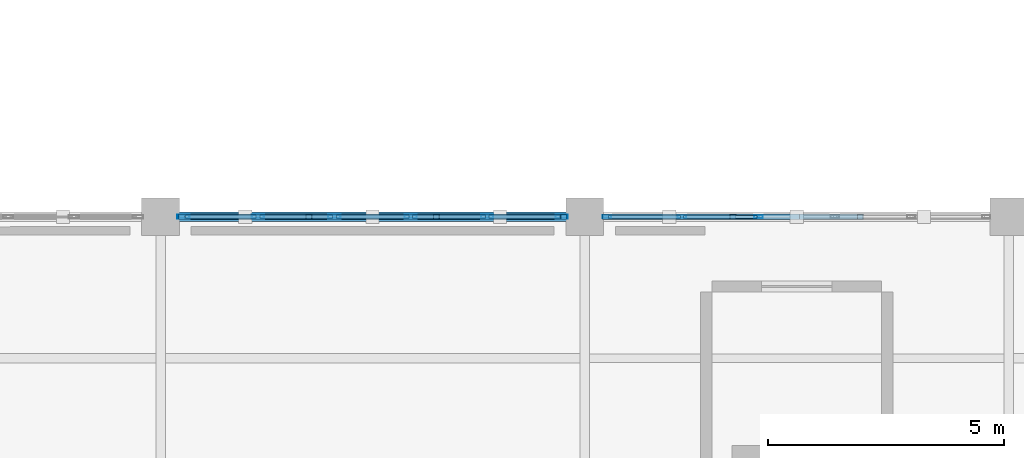
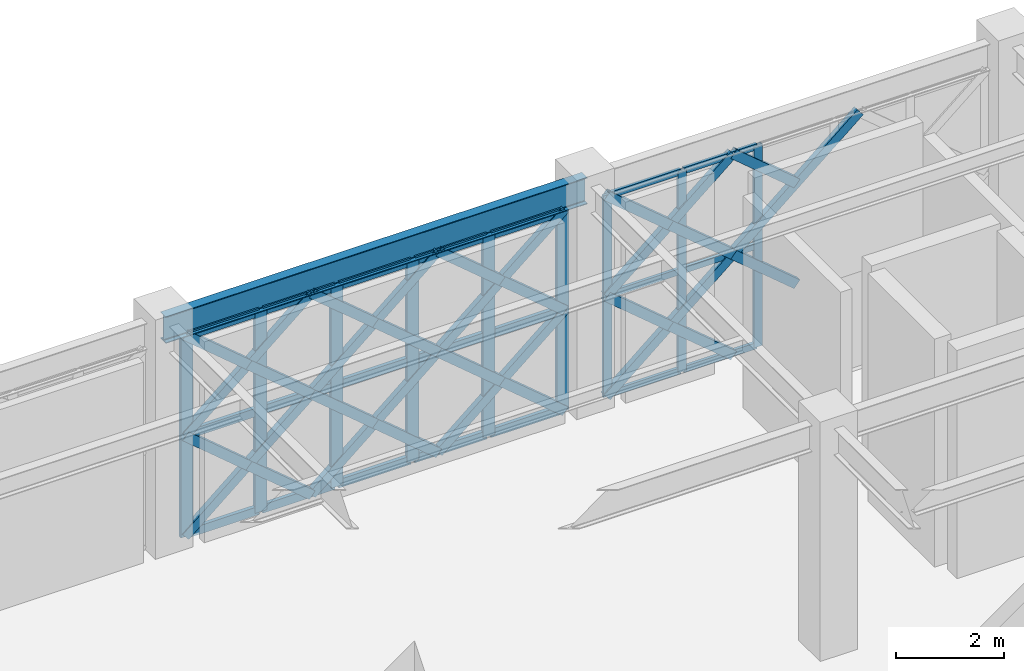
# One storey, part 17 of 86: 57 members, 1 beam, 2 elements without a shape of their own.
"""IFC4 building model written with IfcOpenShell, lengths in metres."""

from ifc_helpers import new_model, si_unit, direction, frame, origin, origin_2d, place, context, subcontext, project, spatial, hollow_rectangle, i_section, extrude, material, material_profile, profile_set, type_object, element, aggregate, save


model = new_model("IFC4")

# Units and contexts
model_context = context("Model", 3, precision=1e-05, world=origin(), true_north=direction((0.0, 1.0)))
body_context = subcontext(model_context, "Body", "Model", "MODEL_VIEW")
ifc_project = project(units=[si_unit("LENGTHUNIT", "METRE"), si_unit("AREAUNIT", "SQUARE_METRE"), si_unit("VOLUMEUNIT", "CUBIC_METRE"), si_unit("PLANEANGLEUNIT", "RADIAN"), si_unit("MASSUNIT", "GRAM", prefix="KILO")], contexts=[model_context])

# Site, building, storey
site_placement = place(None, origin())
site = spatial("IfcSite", under=ifc_project, at=site_placement, CompositionType="ELEMENT")
building_placement = place(site_placement, origin())
building = spatial("IfcBuilding", under=site, at=building_placement, Name="Haizhuo Lancet Aquarium", CompositionType="ELEMENT")
storey_placement = place(building_placement, frame((0.0, 0.0, 16.199951171875)))
storey = spatial("IfcBuildingStorey", under=building, at=storey_placement, Name="L03", CompositionType="ELEMENT", Elevation=16.199951171875)

# Beam
ifc_material_1 = material(Name="Steel S355", Category="steel")
ifc_material_profile_1 = material_profile(ifc_material_1, i_section(OverallWidth=0.199951171875, OverallDepth=0.60009765625, WebThickness=0.010986328125, FlangeThickness=0.01708984375, FilletRadius=0.02197265625, at=origin_2d()), Name="HN 600x200x11x17")
ifc_profile_set_1 = profile_set([ifc_material_profile_1], Name="Steel S355")
beam_type = type_object("IfcBeamType", Name="BM-ST-HN600", PredefinedType="BEAM", material=ifc_profile_set_1)
beam_placement = place(storey_placement, frame((-72.0, -9.0, 4.85009765625), z_axis=(1.0, 0.0, 0.0), x_axis=(0.0, 1.0, 0.0)))
element("IfcBeam", 1, at=beam_placement, inside=storey, type_object=beam_type, Name="L03 V6 primary girder BM-L03-V6-008", PredefinedType="BEAM", context=body_context, shape_type="SweptSolid", body=[
    extrude(i_section(OverallWidth=0.199951171875, OverallDepth=0.60009765625, WebThickness=0.010986328125, FlangeThickness=0.01708984375, FilletRadius=0.02197265625, at=origin_2d()), origin(), (0.0, 0.0, 1.0), 9.0),
])

# Curtain wall, members
ifc_material_2 = material(Name="Aluminium 6063-T6", Category="aluminium")
curtain_wall_type = type_object("IfcCurtainWallType", Name="CWO-8110x4550", PredefinedType="NOTDEFINED", material=ifc_material_2)
curtain_wall_1_placement = place(storey_placement, origin())
curtain_wall_1 = element("IfcCurtainWall", 2, at=curtain_wall_1_placement, inside=storey, type_object=curtain_wall_type, Name="L03 curtain wall CW-V6-L03-232", PredefinedType="NOTDEFINED")
ifc_material_profile_2 = material_profile(ifc_material_2, hollow_rectangle(XDim=0.06494140625, YDim=0.179931640625, WallThickness=0.00390625, at=origin_2d()), Name="ALU-M 65x180x4")
ifc_profile_set_2 = profile_set([ifc_material_profile_2], Name="Aluminium 6063-T6")
member_type_1 = type_object("IfcMemberType", Name="CW-MUL-1", PredefinedType="MULLION", material=ifc_profile_set_2)
member_1_placement = place(storey_placement, frame((-62.52294921875, -9.0, 0.0), z_axis=(0.0, 0.0, 1.0), x_axis=(0.0, 1.0, 0.0)))
member_1 = element("IfcMember", 3, at=member_1_placement, type_object=member_type_1, Name="CWO-81x45 mullion 1", PredefinedType="MULLION", context=body_context, shape_type="SweptSolid", body=[
    extrude(hollow_rectangle(XDim=0.06494140625, YDim=0.179931640625, WallThickness=0.00390625, at=origin_2d()), origin(), (0.0, 0.0, 1.0), 4.550048828125),
])
member_2_placement = place(storey_placement, frame((-60.93310546875, -9.0, 0.0), z_axis=(0.0, 0.0, 1.0), x_axis=(0.0, 1.0, 0.0)))
member_2 = element("IfcMember", 4, at=member_2_placement, type_object=member_type_1, Name="CWO-81x45 mullion 2", PredefinedType="MULLION", context=body_context, shape_type="SweptSolid", body=[
    extrude(hollow_rectangle(XDim=0.06494140625, YDim=0.179931640625, WallThickness=0.00390625, at=origin_2d()), origin(), (0.0, 0.0, 1.0), 4.550048828125),
])
member_3_placement = place(storey_placement, frame((-59.31103515625, -9.0, 0.0), z_axis=(0.0, 0.0, 1.0), x_axis=(0.0, 1.0, 0.0)))
member_3 = element("IfcMember", 5, at=member_3_placement, type_object=member_type_1, Name="CWO-81x45 mullion 3", PredefinedType="MULLION", context=body_context, shape_type="SweptSolid", body=[
    extrude(hollow_rectangle(XDim=0.06494140625, YDim=0.179931640625, WallThickness=0.00390625, at=origin_2d()), origin(), (0.0, 0.0, 1.0), 4.550048828125),
])

curtain_wall_2_placement = place(storey_placement, origin())
curtain_wall_2 = element("IfcCurtainWall", 6, at=curtain_wall_2_placement, inside=storey, type_object=curtain_wall_type, Name="L03 curtain wall CW-V6-L03-231", PredefinedType="NOTDEFINED")
ifc_material_profile_3 = material_profile(ifc_material_2, hollow_rectangle(XDim=0.080078125, YDim=0.260009765625, WallThickness=0.0048828125, at=origin_2d()), Name="ALU-M 80x260x5")
ifc_profile_set_3 = profile_set([ifc_material_profile_3], Name="Aluminium 6063-T6")
member_type_2 = type_object("IfcMemberType", Name="CW-MUL-3", PredefinedType="MULLION", material=ifc_profile_set_3)
member_4_placement = place(storey_placement, frame((-71.514892578125, -9.0, 0.0), z_axis=(0.0, 0.0, 1.0), x_axis=(0.0, 1.0, 0.0)))
member_4 = element("IfcMember", 7, at=member_4_placement, type_object=member_type_2, Name="CWO-81x45 mullion 1", PredefinedType="MULLION", context=body_context, shape_type="SweptSolid", body=[
    extrude(hollow_rectangle(XDim=0.080078125, YDim=0.260009765625, WallThickness=0.0048828125, at=origin_2d()), origin(), (0.0, 0.0, 1.0), 4.550048828125),
])
member_5_placement = place(storey_placement, frame((-69.93310546875, -9.0, 0.0), z_axis=(0.0, 0.0, 1.0), x_axis=(0.0, 1.0, 0.0)))
member_5 = element("IfcMember", 8, at=member_5_placement, type_object=member_type_2, Name="CWO-81x45 mullion 2", PredefinedType="MULLION", context=body_context, shape_type="SweptSolid", body=[
    extrude(hollow_rectangle(XDim=0.080078125, YDim=0.260009765625, WallThickness=0.0048828125, at=origin_2d()), origin(), (0.0, 0.0, 1.0), 4.550048828125),
])
member_6_placement = place(storey_placement, frame((-68.31103515625, -9.0, 0.0), z_axis=(0.0, 0.0, 1.0), x_axis=(0.0, 1.0, 0.0)))
member_6 = element("IfcMember", 9, at=member_6_placement, type_object=member_type_2, Name="CWO-81x45 mullion 3", PredefinedType="MULLION", context=body_context, shape_type="SweptSolid", body=[
    extrude(hollow_rectangle(XDim=0.080078125, YDim=0.260009765625, WallThickness=0.0048828125, at=origin_2d()), origin(), (0.0, 0.0, 1.0), 4.550048828125),
])
member_7_placement = place(storey_placement, frame((-66.68896484375, -9.0, 0.0), z_axis=(0.0, 0.0, 1.0), x_axis=(0.0, 1.0, 0.0)))
member_7 = element("IfcMember", 10, at=member_7_placement, type_object=member_type_2, Name="CWO-81x45 mullion 4", PredefinedType="MULLION", context=body_context, shape_type="SweptSolid", body=[
    extrude(hollow_rectangle(XDim=0.080078125, YDim=0.260009765625, WallThickness=0.0048828125, at=origin_2d()), origin(), (0.0, 0.0, 1.0), 4.550048828125),
])
member_8_placement = place(storey_placement, frame((-65.06689453125, -9.0, 0.0), z_axis=(0.0, 0.0, 1.0), x_axis=(0.0, 1.0, 0.0)))
member_8 = element("IfcMember", 11, at=member_8_placement, type_object=member_type_2, Name="CWO-81x45 mullion 5", PredefinedType="MULLION", context=body_context, shape_type="SweptSolid", body=[
    extrude(hollow_rectangle(XDim=0.080078125, YDim=0.260009765625, WallThickness=0.0048828125, at=origin_2d()), origin(), (0.0, 0.0, 1.0), 4.550048828125),
])
member_9_placement = place(storey_placement, frame((-63.485107421875, -9.0, 0.0), z_axis=(0.0, 0.0, 1.0), x_axis=(0.0, 1.0, 0.0)))
member_9 = element("IfcMember", 12, at=member_9_placement, type_object=member_type_2, Name="CWO-81x45 mullion 6", PredefinedType="MULLION", context=body_context, shape_type="SweptSolid", body=[
    extrude(hollow_rectangle(XDim=0.080078125, YDim=0.260009765625, WallThickness=0.0048828125, at=origin_2d()), origin(), (0.0, 0.0, 1.0), 4.550048828125),
])

# Member
ifc_material_profile_4 = material_profile(ifc_material_2, hollow_rectangle(XDim=0.06494140625, YDim=0.139892578125, WallThickness=0.00390625, at=origin_2d()), Name="ALU-T 65x140x4")
ifc_profile_set_4 = profile_set([ifc_material_profile_4], Name="Aluminium 6063-T6")
member_type_3 = type_object("IfcMemberType", Name="CW-TRN-1", PredefinedType="NOTDEFINED", material=ifc_profile_set_4)
member_10_placement = place(storey_placement, frame((-62.489990234375, -9.0, 0.031982421875), z_axis=(1.0, 0.0, 0.0), x_axis=(0.0, 1.0, 0.0)))
member_10 = element("IfcMember", 13, at=member_10_placement, type_object=member_type_3, Name="CWO-81x45 transom 1.1", ObjectType="TRANSOM", PredefinedType="USERDEFINED", context=body_context, shape_type="SweptSolid", body=[
    extrude(hollow_rectangle(XDim=0.06494140625, YDim=0.139892578125, WallThickness=0.00390625, at=origin_2d()), origin(), (0.0, 0.0, 1.0), 1.52490234375),
])

member_11_placement = place(storey_placement, frame((-62.489990234375, -9.0, 2.275146484375), z_axis=(1.0, 0.0, 0.0), x_axis=(0.0, 1.0, 0.0)))
member_11 = element("IfcMember", 14, at=member_11_placement, type_object=member_type_3, Name="CWO-81x45 transom 1.2", ObjectType="TRANSOM", PredefinedType="USERDEFINED", context=body_context, shape_type="SweptSolid", body=[
    extrude(hollow_rectangle(XDim=0.06494140625, YDim=0.139892578125, WallThickness=0.00390625, at=origin_2d()), origin(), (0.0, 0.0, 1.0), 1.52490234375),
])

member_12_placement = place(storey_placement, frame((-62.489990234375, -9.0, 4.51806640625), z_axis=(1.0, 0.0, 0.0), x_axis=(0.0, 1.0, 0.0)))
member_12 = element("IfcMember", 15, at=member_12_placement, type_object=member_type_3, Name="CWO-81x45 transom 1.3", ObjectType="TRANSOM", PredefinedType="USERDEFINED", context=body_context, shape_type="SweptSolid", body=[
    extrude(hollow_rectangle(XDim=0.06494140625, YDim=0.139892578125, WallThickness=0.00390625, at=origin_2d()), origin(), (0.0, 0.0, 1.0), 1.52490234375),
])

member_13_placement = place(storey_placement, frame((-60.90087890625, -9.0, 0.031982421875), z_axis=(1.0, 0.0, 0.0), x_axis=(0.0, 1.0, 0.0)))
member_13 = element("IfcMember", 16, at=member_13_placement, type_object=member_type_3, Name="CWO-81x45 transom 2.1", ObjectType="TRANSOM", PredefinedType="USERDEFINED", context=body_context, shape_type="SweptSolid", body=[
    extrude(hollow_rectangle(XDim=0.06494140625, YDim=0.139892578125, WallThickness=0.00390625, at=origin_2d()), origin(), (0.0, 0.0, 1.0), 1.557861328125),
])

member_14_placement = place(storey_placement, frame((-60.90087890625, -9.0, 2.275146484375), z_axis=(1.0, 0.0, 0.0), x_axis=(0.0, 1.0, 0.0)))
member_14 = element("IfcMember", 17, at=member_14_placement, type_object=member_type_3, Name="CWO-81x45 transom 2.2", ObjectType="TRANSOM", PredefinedType="USERDEFINED", context=body_context, shape_type="SweptSolid", body=[
    extrude(hollow_rectangle(XDim=0.06494140625, YDim=0.139892578125, WallThickness=0.00390625, at=origin_2d()), origin(), (0.0, 0.0, 1.0), 1.557861328125),
])

member_15_placement = place(storey_placement, frame((-60.90087890625, -9.0, 4.51806640625), z_axis=(1.0, 0.0, 0.0), x_axis=(0.0, 1.0, 0.0)))
member_15 = element("IfcMember", 18, at=member_15_placement, type_object=member_type_3, Name="CWO-81x45 transom 2.3", ObjectType="TRANSOM", PredefinedType="USERDEFINED", context=body_context, shape_type="SweptSolid", body=[
    extrude(hollow_rectangle(XDim=0.06494140625, YDim=0.139892578125, WallThickness=0.00390625, at=origin_2d()), origin(), (0.0, 0.0, 1.0), 1.557861328125),
])

aggregate(curtain_wall_1, [member_1, member_2, member_3, member_10, member_11, member_12, member_13, member_14, member_15])

ifc_material_profile_5 = material_profile(ifc_material_2, hollow_rectangle(XDim=0.080078125, YDim=0.18994140625, WallThickness=0.0048828125, at=origin_2d()), Name="ALU-T 80x190x5")
ifc_profile_set_5 = profile_set([ifc_material_profile_5], Name="Aluminium 6063-T6")
member_type_4 = type_object("IfcMemberType", Name="CW-TRN-3", PredefinedType="NOTDEFINED", material=ifc_profile_set_5)
member_16_placement = place(storey_placement, frame((-71.47509765625, -9.0, 0.0400390625), z_axis=(1.0, 0.0, 0.0), x_axis=(0.0, 1.0, 0.0)))
member_16 = element("IfcMember", 19, at=member_16_placement, type_object=member_type_4, Name="CWO-81x45 transom 1.1", ObjectType="TRANSOM", PredefinedType="USERDEFINED", context=body_context, shape_type="SweptSolid", body=[
    extrude(hollow_rectangle(XDim=0.080078125, YDim=0.18994140625, WallThickness=0.0048828125, at=origin_2d()), origin(), (0.0, 0.0, 1.0), 1.502197265625),
])

member_17_placement = place(storey_placement, frame((-71.47509765625, -9.0, 2.275146484375), z_axis=(1.0, 0.0, 0.0), x_axis=(0.0, 1.0, 0.0)))
member_17 = element("IfcMember", 20, at=member_17_placement, type_object=member_type_4, Name="CWO-81x45 transom 1.2", ObjectType="TRANSOM", PredefinedType="USERDEFINED", context=body_context, shape_type="SweptSolid", body=[
    extrude(hollow_rectangle(XDim=0.080078125, YDim=0.18994140625, WallThickness=0.0048828125, at=origin_2d()), origin(), (0.0, 0.0, 1.0), 1.502197265625),
])

member_18_placement = place(storey_placement, frame((-71.47509765625, -9.0, 4.510009765625), z_axis=(1.0, 0.0, 0.0), x_axis=(0.0, 1.0, 0.0)))
member_18 = element("IfcMember", 21, at=member_18_placement, type_object=member_type_4, Name="CWO-81x45 transom 1.3", ObjectType="TRANSOM", PredefinedType="USERDEFINED", context=body_context, shape_type="SweptSolid", body=[
    extrude(hollow_rectangle(XDim=0.080078125, YDim=0.18994140625, WallThickness=0.0048828125, at=origin_2d()), origin(), (0.0, 0.0, 1.0), 1.502197265625),
])

member_19_placement = place(storey_placement, frame((-69.89306640625, -9.0, 0.0400390625), z_axis=(1.0, 0.0, 0.0), x_axis=(0.0, 1.0, 0.0)))
member_19 = element("IfcMember", 22, at=member_19_placement, type_object=member_type_4, Name="CWO-81x45 transom 2.1", ObjectType="TRANSOM", PredefinedType="USERDEFINED", context=body_context, shape_type="SweptSolid", body=[
    extrude(hollow_rectangle(XDim=0.080078125, YDim=0.18994140625, WallThickness=0.0048828125, at=origin_2d()), origin(), (0.0, 0.0, 1.0), 1.5419921875),
])

member_20_placement = place(storey_placement, frame((-69.89306640625, -9.0, 2.275146484375), z_axis=(1.0, 0.0, 0.0), x_axis=(0.0, 1.0, 0.0)))
member_20 = element("IfcMember", 23, at=member_20_placement, type_object=member_type_4, Name="CWO-81x45 transom 2.2", ObjectType="TRANSOM", PredefinedType="USERDEFINED", context=body_context, shape_type="SweptSolid", body=[
    extrude(hollow_rectangle(XDim=0.080078125, YDim=0.18994140625, WallThickness=0.0048828125, at=origin_2d()), origin(), (0.0, 0.0, 1.0), 1.5419921875),
])

member_21_placement = place(storey_placement, frame((-69.89306640625, -9.0, 4.510009765625), z_axis=(1.0, 0.0, 0.0), x_axis=(0.0, 1.0, 0.0)))
member_21 = element("IfcMember", 24, at=member_21_placement, type_object=member_type_4, Name="CWO-81x45 transom 2.3", ObjectType="TRANSOM", PredefinedType="USERDEFINED", context=body_context, shape_type="SweptSolid", body=[
    extrude(hollow_rectangle(XDim=0.080078125, YDim=0.18994140625, WallThickness=0.0048828125, at=origin_2d()), origin(), (0.0, 0.0, 1.0), 1.5419921875),
])

member_22_placement = place(storey_placement, frame((-68.27099609375, -9.0, 0.0400390625), z_axis=(1.0, 0.0, 0.0), x_axis=(0.0, 1.0, 0.0)))
member_22 = element("IfcMember", 25, at=member_22_placement, type_object=member_type_4, Name="CWO-81x45 transom 3.1", ObjectType="TRANSOM", PredefinedType="USERDEFINED", context=body_context, shape_type="SweptSolid", body=[
    extrude(hollow_rectangle(XDim=0.080078125, YDim=0.18994140625, WallThickness=0.0048828125, at=origin_2d()), origin(), (0.0, 0.0, 1.0), 1.5419921875),
])

member_23_placement = place(storey_placement, frame((-68.27099609375, -9.0, 2.275146484375), z_axis=(1.0, 0.0, 0.0), x_axis=(0.0, 1.0, 0.0)))
member_23 = element("IfcMember", 26, at=member_23_placement, type_object=member_type_4, Name="CWO-81x45 transom 3.2", ObjectType="TRANSOM", PredefinedType="USERDEFINED", context=body_context, shape_type="SweptSolid", body=[
    extrude(hollow_rectangle(XDim=0.080078125, YDim=0.18994140625, WallThickness=0.0048828125, at=origin_2d()), origin(), (0.0, 0.0, 1.0), 1.5419921875),
])

member_24_placement = place(storey_placement, frame((-68.27099609375, -9.0, 4.510009765625), z_axis=(1.0, 0.0, 0.0), x_axis=(0.0, 1.0, 0.0)))
member_24 = element("IfcMember", 27, at=member_24_placement, type_object=member_type_4, Name="CWO-81x45 transom 3.3", ObjectType="TRANSOM", PredefinedType="USERDEFINED", context=body_context, shape_type="SweptSolid", body=[
    extrude(hollow_rectangle(XDim=0.080078125, YDim=0.18994140625, WallThickness=0.0048828125, at=origin_2d()), origin(), (0.0, 0.0, 1.0), 1.5419921875),
])

member_25_placement = place(storey_placement, frame((-66.64892578125, -9.0, 0.0400390625), z_axis=(1.0, 0.0, 0.0), x_axis=(0.0, 1.0, 0.0)))
member_25 = element("IfcMember", 28, at=member_25_placement, type_object=member_type_4, Name="CWO-81x45 transom 4.1", ObjectType="TRANSOM", PredefinedType="USERDEFINED", context=body_context, shape_type="SweptSolid", body=[
    extrude(hollow_rectangle(XDim=0.080078125, YDim=0.18994140625, WallThickness=0.0048828125, at=origin_2d()), origin(), (0.0, 0.0, 1.0), 1.5419921875),
])

member_26_placement = place(storey_placement, frame((-66.64892578125, -9.0, 2.275146484375), z_axis=(1.0, 0.0, 0.0), x_axis=(0.0, 1.0, 0.0)))
member_26 = element("IfcMember", 29, at=member_26_placement, type_object=member_type_4, Name="CWO-81x45 transom 4.2", ObjectType="TRANSOM", PredefinedType="USERDEFINED", context=body_context, shape_type="SweptSolid", body=[
    extrude(hollow_rectangle(XDim=0.080078125, YDim=0.18994140625, WallThickness=0.0048828125, at=origin_2d()), origin(), (0.0, 0.0, 1.0), 1.5419921875),
])

member_27_placement = place(storey_placement, frame((-66.64892578125, -9.0, 4.510009765625), z_axis=(1.0, 0.0, 0.0), x_axis=(0.0, 1.0, 0.0)))
member_27 = element("IfcMember", 30, at=member_27_placement, type_object=member_type_4, Name="CWO-81x45 transom 4.3", ObjectType="TRANSOM", PredefinedType="USERDEFINED", context=body_context, shape_type="SweptSolid", body=[
    extrude(hollow_rectangle(XDim=0.080078125, YDim=0.18994140625, WallThickness=0.0048828125, at=origin_2d()), origin(), (0.0, 0.0, 1.0), 1.5419921875),
])

member_28_placement = place(storey_placement, frame((-65.027099609375, -9.0, 0.0400390625), z_axis=(1.0, 0.0, 0.0), x_axis=(0.0, 1.0, 0.0)))
member_28 = element("IfcMember", 31, at=member_28_placement, type_object=member_type_4, Name="CWO-81x45 transom 5.1", ObjectType="TRANSOM", PredefinedType="USERDEFINED", context=body_context, shape_type="SweptSolid", body=[
    extrude(hollow_rectangle(XDim=0.080078125, YDim=0.18994140625, WallThickness=0.0048828125, at=origin_2d()), origin(), (0.0, 0.0, 1.0), 1.502197265625),
])

member_29_placement = place(storey_placement, frame((-65.027099609375, -9.0, 2.275146484375), z_axis=(1.0, 0.0, 0.0), x_axis=(0.0, 1.0, 0.0)))
member_29 = element("IfcMember", 32, at=member_29_placement, type_object=member_type_4, Name="CWO-81x45 transom 5.2", ObjectType="TRANSOM", PredefinedType="USERDEFINED", context=body_context, shape_type="SweptSolid", body=[
    extrude(hollow_rectangle(XDim=0.080078125, YDim=0.18994140625, WallThickness=0.0048828125, at=origin_2d()), origin(), (0.0, 0.0, 1.0), 1.502197265625),
])

member_30_placement = place(storey_placement, frame((-65.027099609375, -9.0, 4.510009765625), z_axis=(1.0, 0.0, 0.0), x_axis=(0.0, 1.0, 0.0)))
member_30 = element("IfcMember", 33, at=member_30_placement, type_object=member_type_4, Name="CWO-81x45 transom 5.3", ObjectType="TRANSOM", PredefinedType="USERDEFINED", context=body_context, shape_type="SweptSolid", body=[
    extrude(hollow_rectangle(XDim=0.080078125, YDim=0.18994140625, WallThickness=0.0048828125, at=origin_2d()), origin(), (0.0, 0.0, 1.0), 1.502197265625),
])

aggregate(curtain_wall_2, [member_4, member_5, member_6, member_7, member_8, member_9, member_16, member_17, member_18, member_19, member_20, member_21, member_22, member_23, member_24, member_25, member_26, member_27, member_28, member_29, member_30])

# Members
ifc_material_profile_6 = material_profile(ifc_material_1, hollow_rectangle(XDim=0.1201171875, YDim=0.199951171875, WallThickness=0.008056640625, at=origin_2d()), Name="RHS 120x200x8")
ifc_profile_set_6 = profile_set([ifc_material_profile_6], Name="Steel S355")
member_type_5 = type_object("IfcMemberType", Name="MEM-LB-RHS120x200", PredefinedType="BRACE", material=ifc_profile_set_6)
member_31_placement = place(storey_placement, frame((-71.554931640625, -9.0, 0.0), z_axis=(0.765045580623, 0.0, 0.643976132764), x_axis=(0.0, 1.0, 0.0)))
element("IfcMember", 34, at=member_31_placement, inside=storey, type_object=member_type_5, Name="Gothic lancet continuous diagonal brace CW-V6-L03-231 1A", PredefinedType="BRACE", context=body_context, shape_type="SweptSolid", body=[
    extrude(hollow_rectangle(XDim=0.1201171875, YDim=0.199951171875, WallThickness=0.008056640625, at=origin_2d()), origin(), (0.0, 0.0, 1.0), 3.532958984375),
])
member_32_placement = place(storey_placement, frame((-68.85205078125, -9.0, 0.0), z_axis=(-0.765358991525, 0.0, 0.643603615661), x_axis=(0.0, -1.0, 0.0)))
element("IfcMember", 35, at=member_32_placement, inside=storey, type_object=member_type_5, Name="Gothic lancet split diagonal brace CW-V6-L03-231 1B1", PredefinedType="BRACE", context=body_context, shape_type="SweptSolid", body=[
    extrude(hollow_rectangle(XDim=0.1201171875, YDim=0.199951171875, WallThickness=0.008056640625, at=origin_2d()), origin(), (0.0, 0.0, 1.0), 1.7666015625),
])
member_33_placement = place(storey_placement, frame((-70.2041015625, -9.0, 1.136962890625), z_axis=(-0.764731962164, 0.0, 0.644348528395), x_axis=(0.0, -1.0, 0.0)))
element("IfcMember", 36, at=member_33_placement, inside=storey, type_object=member_type_5, Name="Gothic lancet split diagonal brace CW-V6-L03-231 1B2", PredefinedType="BRACE", context=body_context, shape_type="SweptSolid", body=[
    extrude(hollow_rectangle(XDim=0.1201171875, YDim=0.199951171875, WallThickness=0.008056640625, at=origin_2d()), origin(), (0.0, 0.0, 1.0), 1.766357421875),
])
member_34_placement = place(storey_placement, frame((-71.554931640625, -9.0, 2.275146484375), z_axis=(0.765079626398, 0.0, 0.64393568411), x_axis=(0.0, 1.0, 0.0)))
element("IfcMember", 37, at=member_34_placement, inside=storey, type_object=member_type_5, Name="Gothic lancet continuous diagonal brace CW-V6-L03-231 2A", PredefinedType="BRACE", context=body_context, shape_type="SweptSolid", body=[
    extrude(hollow_rectangle(XDim=0.1201171875, YDim=0.199951171875, WallThickness=0.008056640625, at=origin_2d()), origin(), (0.0, 0.0, 1.0), 3.53271484375),
])
member_35_placement = place(storey_placement, frame((-68.85205078125, -9.0, 2.275146484375), z_axis=(-0.76508671477, 0.0, 0.643927262106), x_axis=(0.0, -1.0, 0.0)))
element("IfcMember", 38, at=member_35_placement, inside=storey, type_object=member_type_5, Name="Gothic lancet split diagonal brace CW-V6-L03-231 2B1", PredefinedType="BRACE", context=body_context, shape_type="SweptSolid", body=[
    extrude(hollow_rectangle(XDim=0.1201171875, YDim=0.199951171875, WallThickness=0.008056640625, at=origin_2d()), origin(), (0.0, 0.0, 1.0), 1.76708984375),
])
member_36_placement = place(storey_placement, frame((-70.2041015625, -9.0, 3.4130859375), z_axis=(-0.76507253166, 0.0, 0.64394411349), x_axis=(0.0, -1.0, 0.0)))
element("IfcMember", 39, at=member_36_placement, inside=storey, type_object=member_type_5, Name="Gothic lancet split diagonal brace CW-V6-L03-231 2B2", PredefinedType="BRACE", context=body_context, shape_type="SweptSolid", body=[
    extrude(hollow_rectangle(XDim=0.1201171875, YDim=0.199951171875, WallThickness=0.008056640625, at=origin_2d()), origin(), (0.0, 0.0, 1.0), 1.765625),
])
member_37_placement = place(storey_placement, frame((-68.85205078125, -9.0, 0.0), z_axis=(0.765188811887, 0.0, 0.643805935173), x_axis=(0.0, 1.0, 0.0)))
element("IfcMember", 40, at=member_37_placement, inside=storey, type_object=member_type_5, Name="Gothic lancet continuous diagonal brace CW-V6-L03-231 3A", PredefinedType="BRACE", context=body_context, shape_type="SweptSolid", body=[
    extrude(hollow_rectangle(XDim=0.1201171875, YDim=0.199951171875, WallThickness=0.008056640625, at=origin_2d()), origin(), (0.0, 0.0, 1.0), 3.533935546875),
])
member_38_placement = place(storey_placement, frame((-66.14794921875, -9.0, 0.0), z_axis=(-0.765358991525, 0.0, 0.643603615661), x_axis=(0.0, -1.0, 0.0)))
element("IfcMember", 41, at=member_38_placement, inside=storey, type_object=member_type_5, Name="Gothic lancet split diagonal brace CW-V6-L03-231 3B1", PredefinedType="BRACE", context=body_context, shape_type="SweptSolid", body=[
    extrude(hollow_rectangle(XDim=0.1201171875, YDim=0.199951171875, WallThickness=0.008056640625, at=origin_2d()), origin(), (0.0, 0.0, 1.0), 1.7666015625),
])
member_39_placement = place(storey_placement, frame((-67.5, -9.0, 1.136962890625), z_axis=(-0.765018654477, 0.0, 0.644008119749), x_axis=(0.0, -1.0, 0.0)))
element("IfcMember", 42, at=member_39_placement, inside=storey, type_object=member_type_5, Name="Gothic lancet split diagonal brace CW-V6-L03-231 3B2", PredefinedType="BRACE", context=body_context, shape_type="SweptSolid", body=[
    extrude(hollow_rectangle(XDim=0.1201171875, YDim=0.199951171875, WallThickness=0.008056640625, at=origin_2d()), origin(), (0.0, 0.0, 1.0), 1.767333984375),
])
member_40_placement = place(storey_placement, frame((-68.85205078125, -9.0, 2.275146484375), z_axis=(0.765222846038, 0.0, 0.643765482068), x_axis=(0.0, 1.0, 0.0)))
element("IfcMember", 43, at=member_40_placement, inside=storey, type_object=member_type_5, Name="Gothic lancet continuous diagonal brace CW-V6-L03-231 4A", PredefinedType="BRACE", context=body_context, shape_type="SweptSolid", body=[
    extrude(hollow_rectangle(XDim=0.1201171875, YDim=0.199951171875, WallThickness=0.008056640625, at=origin_2d()), origin(), (0.0, 0.0, 1.0), 3.53369140625),
])
member_41_placement = place(storey_placement, frame((-66.14794921875, -9.0, 2.275146484375), z_axis=(-0.76508671477, 0.0, 0.643927262106), x_axis=(0.0, -1.0, 0.0)))
element("IfcMember", 44, at=member_41_placement, inside=storey, type_object=member_type_5, Name="Gothic lancet split diagonal brace CW-V6-L03-231 4B1", PredefinedType="BRACE", context=body_context, shape_type="SweptSolid", body=[
    extrude(hollow_rectangle(XDim=0.1201171875, YDim=0.199951171875, WallThickness=0.008056640625, at=origin_2d()), origin(), (0.0, 0.0, 1.0), 1.76708984375),
])
member_42_placement = place(storey_placement, frame((-67.5, -9.0, 3.4130859375), z_axis=(-0.765358991525, 0.0, 0.643603615661), x_axis=(0.0, -1.0, 0.0)))
element("IfcMember", 45, at=member_42_placement, inside=storey, type_object=member_type_5, Name="Gothic lancet split diagonal brace CW-V6-L03-231 4B2", PredefinedType="BRACE", context=body_context, shape_type="SweptSolid", body=[
    extrude(hollow_rectangle(XDim=0.1201171875, YDim=0.199951171875, WallThickness=0.008056640625, at=origin_2d()), origin(), (0.0, 0.0, 1.0), 1.7666015625),
])
member_43_placement = place(storey_placement, frame((-66.14794921875, -9.0, 0.0), z_axis=(0.765045580623, 0.0, 0.643976132764), x_axis=(0.0, 1.0, 0.0)))
element("IfcMember", 46, at=member_43_placement, inside=storey, type_object=member_type_5, Name="Gothic lancet continuous diagonal brace CW-V6-L03-231 5A", PredefinedType="BRACE", context=body_context, shape_type="SweptSolid", body=[
    extrude(hollow_rectangle(XDim=0.1201171875, YDim=0.199951171875, WallThickness=0.008056640625, at=origin_2d()), origin(), (0.0, 0.0, 1.0), 3.532958984375),
])
member_44_placement = place(storey_placement, frame((-63.445068359375, -9.0, 0.0), z_axis=(-0.76507253166, 0.0, 0.64394411349), x_axis=(0.0, -1.0, 0.0)))
element("IfcMember", 47, at=member_44_placement, inside=storey, type_object=member_type_5, Name="Gothic lancet split diagonal brace CW-V6-L03-231 5B1", PredefinedType="BRACE", context=body_context, shape_type="SweptSolid", body=[
    extrude(hollow_rectangle(XDim=0.1201171875, YDim=0.199951171875, WallThickness=0.008056640625, at=origin_2d()), origin(), (0.0, 0.0, 1.0), 1.765625),
])
member_45_placement = place(storey_placement, frame((-64.7958984375, -9.0, 1.136962890625), z_axis=(-0.765018654477, 0.0, 0.644008119749), x_axis=(0.0, -1.0, 0.0)))
element("IfcMember", 48, at=member_45_placement, inside=storey, type_object=member_type_5, Name="Gothic lancet split diagonal brace CW-V6-L03-231 5B2", PredefinedType="BRACE", context=body_context, shape_type="SweptSolid", body=[
    extrude(hollow_rectangle(XDim=0.1201171875, YDim=0.199951171875, WallThickness=0.008056640625, at=origin_2d()), origin(), (0.0, 0.0, 1.0), 1.767333984375),
])
member_46_placement = place(storey_placement, frame((-66.14794921875, -9.0, 2.275146484375), z_axis=(0.765079626398, 0.0, 0.64393568411), x_axis=(0.0, 1.0, 0.0)))
element("IfcMember", 49, at=member_46_placement, inside=storey, type_object=member_type_5, Name="Gothic lancet continuous diagonal brace CW-V6-L03-231 6A", PredefinedType="BRACE", context=body_context, shape_type="SweptSolid", body=[
    extrude(hollow_rectangle(XDim=0.1201171875, YDim=0.199951171875, WallThickness=0.008056640625, at=origin_2d()), origin(), (0.0, 0.0, 1.0), 3.53271484375),
])
member_47_placement = place(storey_placement, frame((-63.445068359375, -9.0, 2.275146484375), z_axis=(-0.764800068903, 0.0, 0.644267688624), x_axis=(0.0, -1.0, 0.0)))
element("IfcMember", 50, at=member_47_placement, inside=storey, type_object=member_type_5, Name="Gothic lancet split diagonal brace CW-V6-L03-231 6B1", PredefinedType="BRACE", context=body_context, shape_type="SweptSolid", body=[
    extrude(hollow_rectangle(XDim=0.1201171875, YDim=0.199951171875, WallThickness=0.008056640625, at=origin_2d()), origin(), (0.0, 0.0, 1.0), 1.766357421875),
])
member_48_placement = place(storey_placement, frame((-64.7958984375, -9.0, 3.4130859375), z_axis=(-0.765358991525, 0.0, 0.643603615661), x_axis=(0.0, -1.0, 0.0)))
element("IfcMember", 51, at=member_48_placement, inside=storey, type_object=member_type_5, Name="Gothic lancet split diagonal brace CW-V6-L03-231 6B2", PredefinedType="BRACE", context=body_context, shape_type="SweptSolid", body=[
    extrude(hollow_rectangle(XDim=0.1201171875, YDim=0.199951171875, WallThickness=0.008056640625, at=origin_2d()), origin(), (0.0, 0.0, 1.0), 1.7666015625),
])
member_49_placement = place(storey_placement, frame((-62.554931640625, -9.0, 0.0), z_axis=(0.765045580623, 0.0, 0.643976132764), x_axis=(0.0, 1.0, 0.0)))
element("IfcMember", 52, at=member_49_placement, inside=storey, type_object=member_type_5, Name="Gothic lancet continuous diagonal brace CW-V6-L03-232 1A", PredefinedType="BRACE", context=body_context, shape_type="SweptSolid", body=[
    extrude(hollow_rectangle(XDim=0.1201171875, YDim=0.199951171875, WallThickness=0.008056640625, at=origin_2d()), origin(), (0.0, 0.0, 1.0), 3.532958984375),
])
member_50_placement = place(storey_placement, frame((-59.85205078125, -9.0, 0.0), z_axis=(-0.76507253166, 0.0, 0.64394411349), x_axis=(0.0, -1.0, 0.0)))
element("IfcMember", 53, at=member_50_placement, inside=storey, type_object=member_type_5, Name="Gothic lancet split diagonal brace CW-V6-L03-232 1B1", PredefinedType="BRACE", context=body_context, shape_type="SweptSolid", body=[
    extrude(hollow_rectangle(XDim=0.1201171875, YDim=0.199951171875, WallThickness=0.008056640625, at=origin_2d()), origin(), (0.0, 0.0, 1.0), 1.765625),
])
member_51_placement = place(storey_placement, frame((-61.202880859375, -9.0, 1.136962890625), z_axis=(-0.765018654477, 0.0, 0.644008119749), x_axis=(0.0, -1.0, 0.0)))
element("IfcMember", 54, at=member_51_placement, inside=storey, type_object=member_type_5, Name="Gothic lancet split diagonal brace CW-V6-L03-232 1B2", PredefinedType="BRACE", context=body_context, shape_type="SweptSolid", body=[
    extrude(hollow_rectangle(XDim=0.1201171875, YDim=0.199951171875, WallThickness=0.008056640625, at=origin_2d()), origin(), (0.0, 0.0, 1.0), 1.767333984375),
])
member_52_placement = place(storey_placement, frame((-62.554931640625, -9.0, 2.275146484375), z_axis=(0.765079626398, 0.0, 0.64393568411), x_axis=(0.0, 1.0, 0.0)))
element("IfcMember", 55, at=member_52_placement, inside=storey, type_object=member_type_5, Name="Gothic lancet continuous diagonal brace CW-V6-L03-232 2A", PredefinedType="BRACE", context=body_context, shape_type="SweptSolid", body=[
    extrude(hollow_rectangle(XDim=0.1201171875, YDim=0.199951171875, WallThickness=0.008056640625, at=origin_2d()), origin(), (0.0, 0.0, 1.0), 3.53271484375),
])
member_53_placement = place(storey_placement, frame((-59.85205078125, -9.0, 2.275146484375), z_axis=(-0.764800068903, 0.0, 0.644267688624), x_axis=(0.0, -1.0, 0.0)))
element("IfcMember", 56, at=member_53_placement, inside=storey, type_object=member_type_5, Name="Gothic lancet split diagonal brace CW-V6-L03-232 2B1", PredefinedType="BRACE", context=body_context, shape_type="SweptSolid", body=[
    extrude(hollow_rectangle(XDim=0.1201171875, YDim=0.199951171875, WallThickness=0.008056640625, at=origin_2d()), origin(), (0.0, 0.0, 1.0), 1.766357421875),
])
member_54_placement = place(storey_placement, frame((-61.202880859375, -9.0, 3.4130859375), z_axis=(-0.765358991525, 0.0, 0.643603615661), x_axis=(0.0, -1.0, 0.0)))
element("IfcMember", 57, at=member_54_placement, inside=storey, type_object=member_type_5, Name="Gothic lancet split diagonal brace CW-V6-L03-232 2B2", PredefinedType="BRACE", context=body_context, shape_type="SweptSolid", body=[
    extrude(hollow_rectangle(XDim=0.1201171875, YDim=0.199951171875, WallThickness=0.008056640625, at=origin_2d()), origin(), (0.0, 0.0, 1.0), 1.7666015625),
])
member_55_placement = place(storey_placement, frame((-58.5, -9.0, 1.136962890625), z_axis=(-0.765018654477, 0.0, 0.644008119749), x_axis=(0.0, -1.0, 0.0)))
element("IfcMember", 58, at=member_55_placement, inside=storey, type_object=member_type_5, Name="Gothic lancet split diagonal brace CW-V6-L03-232 3B2", PredefinedType="BRACE", context=body_context, shape_type="SweptSolid", body=[
    extrude(hollow_rectangle(XDim=0.1201171875, YDim=0.199951171875, WallThickness=0.008056640625, at=origin_2d()), origin(), (0.0, 0.0, 1.0), 1.767333984375),
])
member_56_placement = place(storey_placement, frame((-59.85205078125, -9.0, 2.275146484375), z_axis=(0.765222846038, 0.0, 0.643765482068), x_axis=(0.0, 1.0, 0.0)))
element("IfcMember", 59, at=member_56_placement, inside=storey, type_object=member_type_5, Name="Gothic lancet continuous diagonal brace CW-V6-L03-232 4A", PredefinedType="BRACE", context=body_context, shape_type="SweptSolid", body=[
    extrude(hollow_rectangle(XDim=0.1201171875, YDim=0.199951171875, WallThickness=0.008056640625, at=origin_2d()), origin(), (0.0, 0.0, 1.0), 3.53369140625),
])
member_57_placement = place(storey_placement, frame((-58.5, -9.0, 3.4130859375), z_axis=(-0.765358991525, 0.0, 0.643603615661), x_axis=(0.0, -1.0, 0.0)))
element("IfcMember", 60, at=member_57_placement, inside=storey, type_object=member_type_5, Name="Gothic lancet split diagonal brace CW-V6-L03-232 4B2", PredefinedType="BRACE", context=body_context, shape_type="SweptSolid", body=[
    extrude(hollow_rectangle(XDim=0.1201171875, YDim=0.199951171875, WallThickness=0.008056640625, at=origin_2d()), origin(), (0.0, 0.0, 1.0), 1.7666015625),
])

save(model, "model.ifc")
